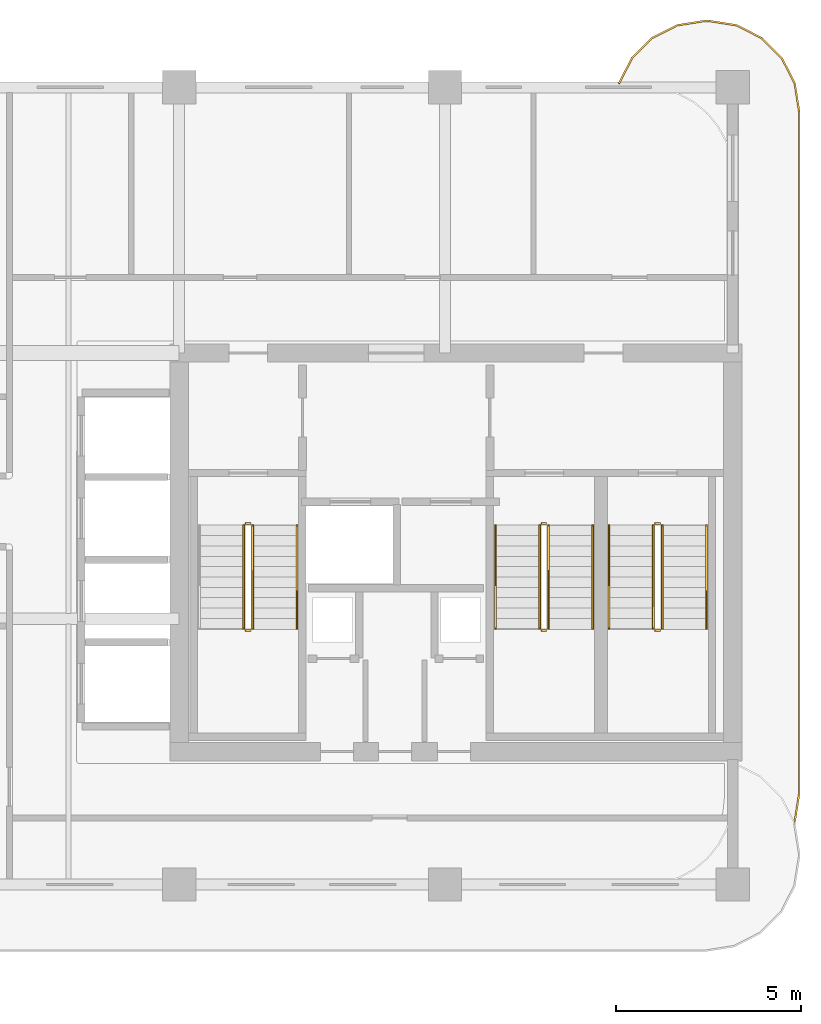
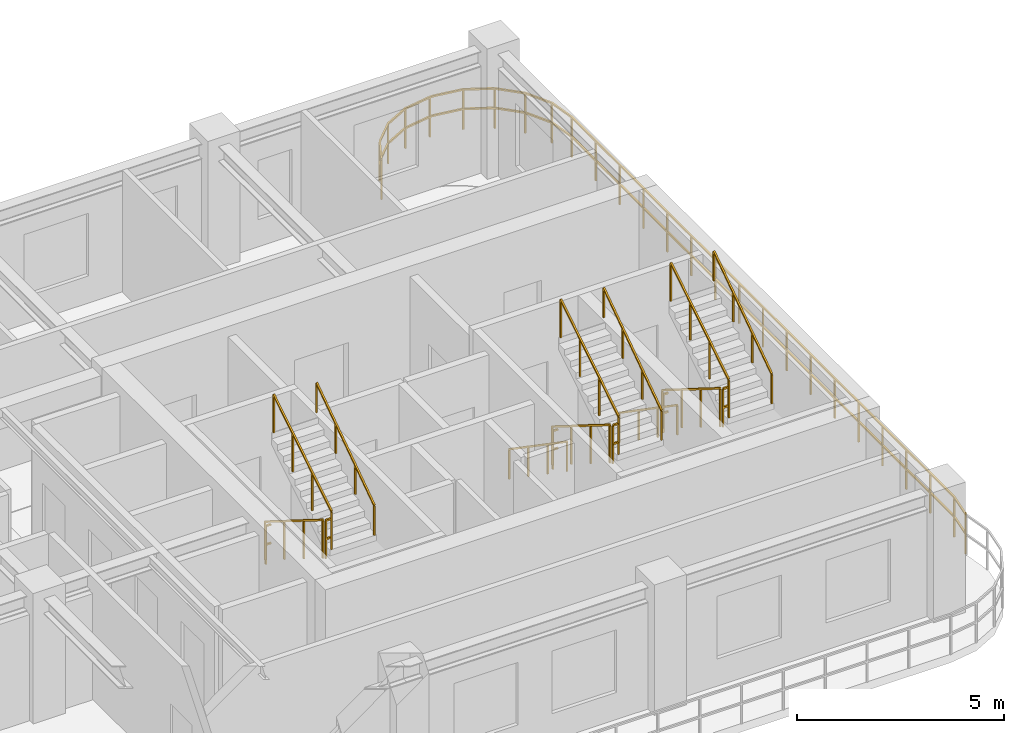
# One storey, part 7 of 7: 18 railings.
"""IFC4 building model written with IfcOpenShell, lengths in metres."""

from ifc_helpers import new_model, si_unit, derived_unit, direction, frame, origin, origin_2d, place, context, subcontext, project, spatial, rectangle, extrude, material, type_object, element, save


model = new_model("IFC4")

# Units and contexts
model_context = context("Model", 3, precision=1e-05, world=origin(), true_north=direction((0.0, 1.0)))
body_context = subcontext(model_context, "Body", "Model", "MODEL_VIEW")
ifc_project = project(units=[si_unit("LENGTHUNIT", "METRE"), si_unit("AREAUNIT", "SQUARE_METRE"), si_unit("VOLUMEUNIT", "CUBIC_METRE"), si_unit("PLANEANGLEUNIT", "RADIAN"), si_unit("MASSUNIT", "GRAM", prefix="KILO"), si_unit("THERMODYNAMICTEMPERATUREUNIT", "KELVIN"), si_unit("POWERUNIT", "WATT"), derived_unit("THERMALTRANSMITTANCEUNIT", [(si_unit("POWERUNIT", "WATT"), 1), (si_unit("AREAUNIT", "SQUARE_METRE"), -1), (si_unit("THERMODYNAMICTEMPERATUREUNIT", "KELVIN"), -1)])], contexts=[model_context])

# Site, building, storey
site_placement = place(None, origin())
site = spatial("IfcSite", under=ifc_project, at=site_placement, CompositionType="ELEMENT")
building_placement = place(site_placement, origin())
building = spatial("IfcBuilding", under=site, at=building_placement, Name="Zahravan Archway Hotel and Residences", CompositionType="ELEMENT")
storey_placement = place(building_placement, frame((0.0, 0.0, 221.14990234375)))
storey = spatial("IfcBuildingStorey", under=building, at=storey_placement, Name="L55", CompositionType="ELEMENT", Elevation=221.14990234375)

# Railings
ifc_material_1 = material(Name="Bronze & Laminated Glass Balustrade", Category="glass")
railing_type_1 = type_object("IfcRailingType", Name="RL-BAL-1200", PredefinedType="BALUSTRADE", material=ifc_material_1)
railing_1_placement = place(storey_placement, frame((46.719970703125, 21.70703125, 0.0)))
element("IfcRailing", 1, at=railing_1_placement, inside=storey, type_object=railing_type_1, Name="L55 Balustrade RL-SLB-BAL-L55-EA-1", PredefinedType="BALUSTRADE", context=body_context, shape_type="SweptSolid", body=[
    extrude(rectangle(XDim=0.048095703125, YDim=0.048095703125, at=origin_2d()), frame((0.0, 0.0, 1.17578125), z_axis=(0.453825591531, 0.891090529897, 0.0), x_axis=(-0.891090529897, 0.453825591531, 0.0)), (0.0, 0.0, 1.0), 0.7666015625),
    extrude(rectangle(XDim=0.048095703125, YDim=0.048095703125, at=origin_2d()), frame((0.0, 0.0, 0.60009765625), z_axis=(0.453825591531, 0.891090529897, 0.0), x_axis=(-0.891090529897, 0.453825591531, 0.0)), (0.0, 0.0, 1.0), 0.7666015625),
    extrude(rectangle(XDim=0.048095703125, YDim=0.048095703125, at=origin_2d()), frame((0.347900390625, 0.68310546875, 1.17578125), z_axis=(0.707106781187, 0.707106781187, 0.0), x_axis=(-0.707106781187, 0.707106781187, 0.0)), (0.0, 0.0, 1.0), 0.7666015625),
    extrude(rectangle(XDim=0.048095703125, YDim=0.048095703125, at=origin_2d()), frame((0.347900390625, 0.68310546875, 0.60009765625), z_axis=(0.707106781187, 0.707106781187, 0.0), x_axis=(-0.707106781187, 0.707106781187, 0.0)), (0.0, 0.0, 1.0), 0.7666015625),
    extrude(rectangle(XDim=0.048095703125, YDim=0.048095703125, at=origin_2d()), frame((0.889892578125, 1.22509765625, 1.17578125), z_axis=(0.891090529897, 0.453825591531, 0.0), x_axis=(-0.453825591531, 0.891090529897, 0.0)), (0.0, 0.0, 1.0), 0.7666015625),
    extrude(rectangle(XDim=0.048095703125, YDim=0.048095703125, at=origin_2d()), frame((0.889892578125, 1.22509765625, 0.60009765625), z_axis=(0.891090529897, 0.453825591531, 0.0), x_axis=(-0.453825591531, 0.891090529897, 0.0)), (0.0, 0.0, 1.0), 0.7666015625),
    extrude(rectangle(XDim=0.048095703125, YDim=0.048095703125, at=origin_2d()), frame((1.572998046875, 1.572998046875, 1.17578125), z_axis=(0.987695728695, 0.156387811283, 0.0), x_axis=(-0.156387811283, 0.987695728695, 0.0)), (0.0, 0.0, 1.0), 0.7666015625),
    extrude(rectangle(XDim=0.048095703125, YDim=0.048095703125, at=origin_2d()), frame((1.572998046875, 1.572998046875, 0.60009765625), z_axis=(0.987695728695, 0.156387811283, 0.0), x_axis=(-0.156387811283, 0.987695728695, 0.0)), (0.0, 0.0, 1.0), 0.7666015625),
    extrude(rectangle(XDim=0.048095703125, YDim=0.048095703125, at=origin_2d()), frame((2.330078125, 1.69287109375, 1.17578125), z_axis=(1.0, 0.0, 0.0), x_axis=(0.0, 1.0, 0.0)), (0.0, 0.0, 1.0), 0.099853515625),
    extrude(rectangle(XDim=0.048095703125, YDim=0.048095703125, at=origin_2d()), frame((2.330078125, 1.69287109375, 0.60009765625), z_axis=(1.0, 0.0, 0.0), x_axis=(0.0, 1.0, 0.0)), (0.0, 0.0, 1.0), 0.099853515625),
    extrude(rectangle(XDim=0.048095703125, YDim=0.048095703125, at=origin_2d()), frame((2.429931640625, 1.69287109375, 1.17578125), z_axis=(0.987695728695, -0.156387811283, 0.0), x_axis=(0.156387811283, 0.987695728695, 0.0)), (0.0, 0.0, 1.0), 0.7666015625),
    extrude(rectangle(XDim=0.048095703125, YDim=0.048095703125, at=origin_2d()), frame((2.429931640625, 1.69287109375, 0.60009765625), z_axis=(0.987695728695, -0.156387811283, 0.0), x_axis=(0.156387811283, 0.987695728695, 0.0)), (0.0, 0.0, 1.0), 0.7666015625),
    extrude(rectangle(XDim=0.048095703125, YDim=0.048095703125, at=origin_2d()), frame((3.18701171875, 1.572998046875, 1.17578125), z_axis=(0.891090529897, -0.453825591531, 0.0), x_axis=(0.453825591531, 0.891090529897, 0.0)), (0.0, 0.0, 1.0), 0.7666015625),
    extrude(rectangle(XDim=0.048095703125, YDim=0.048095703125, at=origin_2d()), frame((3.18701171875, 1.572998046875, 0.60009765625), z_axis=(0.891090529897, -0.453825591531, 0.0), x_axis=(0.453825591531, 0.891090529897, 0.0)), (0.0, 0.0, 1.0), 0.7666015625),
    extrude(rectangle(XDim=0.048095703125, YDim=0.048095703125, at=origin_2d()), frame((3.8701171875, 1.22509765625, 1.17578125), z_axis=(0.707106781187, -0.707106781187, 0.0), x_axis=(0.707106781187, 0.707106781187, 0.0)), (0.0, 0.0, 1.0), 0.7666015625),
    extrude(rectangle(XDim=0.048095703125, YDim=0.048095703125, at=origin_2d()), frame((3.8701171875, 1.22509765625, 0.60009765625), z_axis=(0.707106781187, -0.707106781187, 0.0), x_axis=(0.707106781187, 0.707106781187, 0.0)), (0.0, 0.0, 1.0), 0.7666015625),
    extrude(rectangle(XDim=0.048095703125, YDim=0.048095703125, at=origin_2d()), frame((4.412109375, 0.68310546875, 1.17578125), z_axis=(0.453825591531, -0.891090529897, 0.0), x_axis=(0.891090529897, 0.453825591531, 0.0)), (0.0, 0.0, 1.0), 0.7666015625),
    extrude(rectangle(XDim=0.048095703125, YDim=0.048095703125, at=origin_2d()), frame((4.412109375, 0.68310546875, 0.60009765625), z_axis=(0.453825591531, -0.891090529897, 0.0), x_axis=(0.891090529897, 0.453825591531, 0.0)), (0.0, 0.0, 1.0), 0.7666015625),
    extrude(rectangle(XDim=0.048095703125, YDim=0.048095703125, at=origin_2d()), frame((4.760009765625, 0.0, 1.17578125), z_axis=(0.156698507018, -0.987646484274, 0.0), x_axis=(0.987646484274, 0.156698507018, 0.0)), (0.0, 0.0, 1.0), 0.7666015625),
    extrude(rectangle(XDim=0.048095703125, YDim=0.048095703125, at=origin_2d()), frame((4.760009765625, 0.0, 0.60009765625), z_axis=(0.156698507018, -0.987646484274, 0.0), x_axis=(0.987646484274, 0.156698507018, 0.0)), (0.0, 0.0, 1.0), 0.7666015625),
    extrude(rectangle(XDim=0.048095703125, YDim=0.048095703125, at=origin_2d()), frame((4.880126953125, -0.757080078125, 1.17578125), z_axis=(0.0, -1.0, 0.0), x_axis=(1.0, 0.0, 0.0)), (0.0, 0.0, 1.0), 18.5),
    extrude(rectangle(XDim=0.048095703125, YDim=0.048095703125, at=origin_2d()), frame((4.880126953125, -0.757080078125, 0.60009765625), z_axis=(0.0, -1.0, 0.0), x_axis=(1.0, 0.0, 0.0)), (0.0, 0.0, 1.0), 18.5),
    extrude(rectangle(XDim=0.048095703125, YDim=0.048095703125, at=origin_2d()), frame((4.880126953125, -19.257080078125, 1.17578125), z_axis=(-0.156698507018, -0.987646484274, 0.0), x_axis=(0.987646484274, -0.156698507018, 0.0)), (0.0, 0.0, 1.0), 0.7666015625),
    extrude(rectangle(XDim=0.048095703125, YDim=0.048095703125, at=origin_2d()), frame((4.880126953125, -19.257080078125, 0.60009765625), z_axis=(-0.156698507018, -0.987646484274, 0.0), x_axis=(0.987646484274, -0.156698507018, 0.0)), (0.0, 0.0, 1.0), 0.7666015625),
    extrude(rectangle(XDim=0.0419921875, YDim=0.0419921875, at=origin_2d()), origin(), (0.0, 0.0, 1.0), 1.15185546875),
    extrude(rectangle(XDim=0.0419921875, YDim=0.0419921875, at=origin_2d()), frame((0.347900390625, 0.68310546875, 0.0)), (0.0, 0.0, 1.0), 1.15185546875),
    extrude(rectangle(XDim=0.0419921875, YDim=0.0419921875, at=origin_2d()), frame((0.889892578125, 1.22509765625, 0.0)), (0.0, 0.0, 1.0), 1.15185546875),
    extrude(rectangle(XDim=0.0419921875, YDim=0.0419921875, at=origin_2d()), frame((1.572998046875, 1.572998046875, 0.0)), (0.0, 0.0, 1.0), 1.15185546875),
    extrude(rectangle(XDim=0.0419921875, YDim=0.0419921875, at=origin_2d()), frame((2.330078125, 1.69287109375, 0.0)), (0.0, 0.0, 1.0), 1.15185546875),
    extrude(rectangle(XDim=0.0419921875, YDim=0.0419921875, at=origin_2d()), frame((3.18701171875, 1.572998046875, 0.0)), (0.0, 0.0, 1.0), 1.15185546875),
    extrude(rectangle(XDim=0.0419921875, YDim=0.0419921875, at=origin_2d()), frame((3.8701171875, 1.22509765625, 0.0)), (0.0, 0.0, 1.0), 1.15185546875),
    extrude(rectangle(XDim=0.0419921875, YDim=0.0419921875, at=origin_2d()), frame((4.412109375, 0.68310546875, 0.0)), (0.0, 0.0, 1.0), 1.15185546875),
    extrude(rectangle(XDim=0.0419921875, YDim=0.0419921875, at=origin_2d()), frame((4.760009765625, 0.0, 0.0)), (0.0, 0.0, 1.0), 1.15185546875),
    extrude(rectangle(XDim=0.0419921875, YDim=0.0419921875, at=origin_2d()), frame((4.880126953125, -0.757080078125, 0.0)), (0.0, 0.0, 1.0), 1.15185546875),
    extrude(rectangle(XDim=0.0419921875, YDim=0.0419921875, at=origin_2d()), frame((4.880126953125, -1.913330078125, 0.0)), (0.0, 0.0, 1.0), 1.15185546875),
    extrude(rectangle(XDim=0.0419921875, YDim=0.0419921875, at=origin_2d()), frame((4.880126953125, -3.069580078125, 0.0)), (0.0, 0.0, 1.0), 1.15185546875),
    extrude(rectangle(XDim=0.0419921875, YDim=0.0419921875, at=origin_2d()), frame((4.880126953125, -4.225830078125, 0.0)), (0.0, 0.0, 1.0), 1.15185546875),
    extrude(rectangle(XDim=0.0419921875, YDim=0.0419921875, at=origin_2d()), frame((4.880126953125, -5.382080078125, 0.0)), (0.0, 0.0, 1.0), 1.15185546875),
    extrude(rectangle(XDim=0.0419921875, YDim=0.0419921875, at=origin_2d()), frame((4.880126953125, -6.538330078125, 0.0)), (0.0, 0.0, 1.0), 1.15185546875),
    extrude(rectangle(XDim=0.0419921875, YDim=0.0419921875, at=origin_2d()), frame((4.880126953125, -7.694580078125, 0.0)), (0.0, 0.0, 1.0), 1.15185546875),
    extrude(rectangle(XDim=0.0419921875, YDim=0.0419921875, at=origin_2d()), frame((4.880126953125, -8.850830078125, 0.0)), (0.0, 0.0, 1.0), 1.15185546875),
    extrude(rectangle(XDim=0.0419921875, YDim=0.0419921875, at=origin_2d()), frame((4.880126953125, -10.007080078125, 0.0)), (0.0, 0.0, 1.0), 1.15185546875),
    extrude(rectangle(XDim=0.0419921875, YDim=0.0419921875, at=origin_2d()), frame((4.880126953125, -11.163330078125, 0.0)), (0.0, 0.0, 1.0), 1.15185546875),
    extrude(rectangle(XDim=0.0419921875, YDim=0.0419921875, at=origin_2d()), frame((4.880126953125, -12.319580078125, 0.0)), (0.0, 0.0, 1.0), 1.15185546875),
    extrude(rectangle(XDim=0.0419921875, YDim=0.0419921875, at=origin_2d()), frame((4.880126953125, -13.475830078125, 0.0)), (0.0, 0.0, 1.0), 1.15185546875),
    extrude(rectangle(XDim=0.0419921875, YDim=0.0419921875, at=origin_2d()), frame((4.880126953125, -14.632080078125, 0.0)), (0.0, 0.0, 1.0), 1.15185546875),
    extrude(rectangle(XDim=0.0419921875, YDim=0.0419921875, at=origin_2d()), frame((4.880126953125, -15.788330078125, 0.0)), (0.0, 0.0, 1.0), 1.15185546875),
    extrude(rectangle(XDim=0.0419921875, YDim=0.0419921875, at=origin_2d()), frame((4.880126953125, -16.944580078125, 0.0)), (0.0, 0.0, 1.0), 1.15185546875),
    extrude(rectangle(XDim=0.0419921875, YDim=0.0419921875, at=origin_2d()), frame((4.880126953125, -18.100830078125, 0.0)), (0.0, 0.0, 1.0), 1.15185546875),
    extrude(rectangle(XDim=0.0419921875, YDim=0.0419921875, at=origin_2d()), frame((4.880126953125, -19.257080078125, 0.0)), (0.0, 0.0, 1.0), 1.15185546875),
    extrude(rectangle(XDim=0.0419921875, YDim=0.0419921875, at=origin_2d()), frame((4.760009765625, -20.01416015625, 0.0)), (0.0, 0.0, 1.0), 1.15185546875),
])
ifc_material_2 = material(Name="Painted Tubular Steel", Category="steel")
railing_type_2 = type_object("IfcRailingType", Name="RL-STG-1150", PredefinedType="GUARDRAIL", material=ifc_material_2)
railing_2_placement = place(storey_placement, frame((36.550048828125, 9.72998046875, 0.175048828125)))
element("IfcRailing", 2, at=railing_2_placement, inside=storey, type_object=railing_type_2, Name="L55 ST-A1 stair guard 1", PredefinedType="GUARDRAIL", context=body_context, shape_type="SweptSolid", body=[
    extrude(rectangle(XDim=0.048095703125, YDim=0.048095703125, at=origin_2d()), frame((0.0, 0.0, 1.1259765625), z_axis=(0.0, -0.848002457836, 0.529992293815), x_axis=(1.0, 0.0, 0.0)), (0.0, 0.0, 1.0), 3.302001953125),
    extrude(rectangle(XDim=0.0419921875, YDim=0.0419921875, at=origin_2d()), origin(), (0.0, 0.0, 1.0), 1.101806640625),
    extrude(rectangle(XDim=0.0419921875, YDim=0.0419921875, at=origin_2d()), frame((0.0, -0.933349609375, 0.583251953125)), (0.0, 0.0, 1.0), 1.101806640625),
    extrude(rectangle(XDim=0.0419921875, YDim=0.0419921875, at=origin_2d()), frame((0.0, -1.86669921875, 1.166748046875)), (0.0, 0.0, 1.0), 1.101806640625),
    extrude(rectangle(XDim=0.0419921875, YDim=0.0419921875, at=origin_2d()), frame((0.0, -2.800048828125, 1.75)), (0.0, 0.0, 1.0), 1.101806640625),
])
railing_3_placement = place(storey_placement, frame((36.60009765625, 6.8798828125, 1.925048828125)))
element("IfcRailing", 3, at=railing_3_placement, inside=storey, type_object=railing_type_2, Name="L55 ST-A1 stair guard 2", PredefinedType="GUARDRAIL", context=body_context, shape_type="SweptSolid", body=[
    extrude(rectangle(XDim=0.048095703125, YDim=0.048095703125, at=origin_2d()), frame((0.0, 0.0, 1.1259765625), z_axis=(1.0, 0.0, 0.0), x_axis=(0.0, 1.0, 0.0)), (0.0, 0.0, 1.0), 0.139892578125),
    extrude(rectangle(XDim=0.048095703125, YDim=0.048095703125, at=origin_2d()), frame((0.0, 0.0, 0.574951171875), z_axis=(1.0, 0.0, 0.0), x_axis=(0.0, 1.0, 0.0)), (0.0, 0.0, 1.0), 0.139892578125),
    extrude(rectangle(XDim=0.0419921875, YDim=0.0419921875, at=origin_2d()), origin(), (0.0, 0.0, 1.0), 1.101806640625),
])
railing_4_placement = place(storey_placement, frame((36.7900390625, 6.929931640625, 2.10009765625)))
element("IfcRailing", 4, at=railing_4_placement, inside=storey, type_object=railing_type_2, Name="L55 ST-A1 stair guard 3", PredefinedType="GUARDRAIL", context=body_context, shape_type="SweptSolid", body=[
    extrude(rectangle(XDim=0.048095703125, YDim=0.048095703125, at=origin_2d()), frame((0.0, 0.0, 1.1259765625), z_axis=(0.0, 0.848002457836, 0.529992293815), x_axis=(-1.0, 0.0, 0.0)), (0.0, 0.0, 1.0), 3.302001953125),
    extrude(rectangle(XDim=0.0419921875, YDim=0.0419921875, at=origin_2d()), origin(), (0.0, 0.0, 1.0), 1.101806640625),
    extrude(rectangle(XDim=0.0419921875, YDim=0.0419921875, at=origin_2d()), frame((0.0, 0.933349609375, 0.583251953125)), (0.0, 0.0, 1.0), 1.101806640625),
    extrude(rectangle(XDim=0.0419921875, YDim=0.0419921875, at=origin_2d()), frame((0.0, 1.86669921875, 1.166748046875)), (0.0, 0.0, 1.0), 1.101806640625),
    extrude(rectangle(XDim=0.0419921875, YDim=0.0419921875, at=origin_2d()), frame((0.0, 2.800048828125, 1.75)), (0.0, 0.0, 1.0), 1.101806640625),
])
railing_5_placement = place(storey_placement, frame((36.60009765625, 9.780029296875, 0.0)))
element("IfcRailing", 5, at=railing_5_placement, inside=storey, type_object=railing_type_2, Name="L55 ST-A1 stair guard 4", PredefinedType="GUARDRAIL", context=body_context, shape_type="SweptSolid", body=[
    extrude(rectangle(XDim=0.048095703125, YDim=0.048095703125, at=origin_2d()), frame((0.0, 0.0, 1.1259765625), z_axis=(1.0, 0.0, 0.0), x_axis=(0.0, 1.0, 0.0)), (0.0, 0.0, 1.0), 0.139892578125),
    extrude(rectangle(XDim=0.048095703125, YDim=0.048095703125, at=origin_2d()), frame((0.0, 0.0, 0.574951171875), z_axis=(1.0, 0.0, 0.0), x_axis=(0.0, 1.0, 0.0)), (0.0, 0.0, 1.0), 0.139892578125),
    extrude(rectangle(XDim=0.0419921875, YDim=0.0419921875, at=origin_2d()), origin(), (0.0, 0.0, 1.0), 1.101806640625),
])
railing_6_placement = place(storey_placement, frame((44.570068359375, 9.72998046875, 0.175048828125)))
element("IfcRailing", 6, at=railing_6_placement, inside=storey, type_object=railing_type_2, Name="L55 ST-A2 stair guard 1", PredefinedType="GUARDRAIL", context=body_context, shape_type="SweptSolid", body=[
    extrude(rectangle(XDim=0.048095703125, YDim=0.048095703125, at=origin_2d()), frame((0.0, 0.0, 1.1259765625), z_axis=(0.0, -0.848002457836, 0.529992293815), x_axis=(1.0, 0.0, 0.0)), (0.0, 0.0, 1.0), 3.302001953125),
    extrude(rectangle(XDim=0.0419921875, YDim=0.0419921875, at=origin_2d()), origin(), (0.0, 0.0, 1.0), 1.101806640625),
    extrude(rectangle(XDim=0.0419921875, YDim=0.0419921875, at=origin_2d()), frame((0.0, -0.933349609375, 0.583251953125)), (0.0, 0.0, 1.0), 1.101806640625),
    extrude(rectangle(XDim=0.0419921875, YDim=0.0419921875, at=origin_2d()), frame((0.0, -1.86669921875, 1.166748046875)), (0.0, 0.0, 1.0), 1.101806640625),
    extrude(rectangle(XDim=0.0419921875, YDim=0.0419921875, at=origin_2d()), frame((0.0, -2.800048828125, 1.75)), (0.0, 0.0, 1.0), 1.101806640625),
])
railing_7_placement = place(storey_placement, frame((44.6201171875, 6.8798828125, 1.925048828125)))
element("IfcRailing", 7, at=railing_7_placement, inside=storey, type_object=railing_type_2, Name="L55 ST-A2 stair guard 2", PredefinedType="GUARDRAIL", context=body_context, shape_type="SweptSolid", body=[
    extrude(rectangle(XDim=0.048095703125, YDim=0.048095703125, at=origin_2d()), frame((0.0, 0.0, 1.1259765625), z_axis=(1.0, 0.0, 0.0), x_axis=(0.0, 1.0, 0.0)), (0.0, 0.0, 1.0), 0.139892578125),
    extrude(rectangle(XDim=0.048095703125, YDim=0.048095703125, at=origin_2d()), frame((0.0, 0.0, 0.574951171875), z_axis=(1.0, 0.0, 0.0), x_axis=(0.0, 1.0, 0.0)), (0.0, 0.0, 1.0), 0.139892578125),
    extrude(rectangle(XDim=0.0419921875, YDim=0.0419921875, at=origin_2d()), origin(), (0.0, 0.0, 1.0), 1.101806640625),
])
railing_8_placement = place(storey_placement, frame((44.81005859375, 6.929931640625, 2.10009765625)))
element("IfcRailing", 8, at=railing_8_placement, inside=storey, type_object=railing_type_2, Name="L55 ST-A2 stair guard 3", PredefinedType="GUARDRAIL", context=body_context, shape_type="SweptSolid", body=[
    extrude(rectangle(XDim=0.048095703125, YDim=0.048095703125, at=origin_2d()), frame((0.0, 0.0, 1.1259765625), z_axis=(0.0, 0.848002457836, 0.529992293815), x_axis=(-1.0, 0.0, 0.0)), (0.0, 0.0, 1.0), 3.302001953125),
    extrude(rectangle(XDim=0.0419921875, YDim=0.0419921875, at=origin_2d()), origin(), (0.0, 0.0, 1.0), 1.101806640625),
    extrude(rectangle(XDim=0.0419921875, YDim=0.0419921875, at=origin_2d()), frame((0.0, 0.933349609375, 0.583251953125)), (0.0, 0.0, 1.0), 1.101806640625),
    extrude(rectangle(XDim=0.0419921875, YDim=0.0419921875, at=origin_2d()), frame((0.0, 1.86669921875, 1.166748046875)), (0.0, 0.0, 1.0), 1.101806640625),
    extrude(rectangle(XDim=0.0419921875, YDim=0.0419921875, at=origin_2d()), frame((0.0, 2.800048828125, 1.75)), (0.0, 0.0, 1.0), 1.101806640625),
])
railing_9_placement = place(storey_placement, frame((44.6201171875, 9.780029296875, 0.0)))
element("IfcRailing", 9, at=railing_9_placement, inside=storey, type_object=railing_type_2, Name="L55 ST-A2 stair guard 4", PredefinedType="GUARDRAIL", context=body_context, shape_type="SweptSolid", body=[
    extrude(rectangle(XDim=0.048095703125, YDim=0.048095703125, at=origin_2d()), frame((0.0, 0.0, 1.1259765625), z_axis=(1.0, 0.0, 0.0), x_axis=(0.0, 1.0, 0.0)), (0.0, 0.0, 1.0), 0.139892578125),
    extrude(rectangle(XDim=0.048095703125, YDim=0.048095703125, at=origin_2d()), frame((0.0, 0.0, 0.574951171875), z_axis=(1.0, 0.0, 0.0), x_axis=(0.0, 1.0, 0.0)), (0.0, 0.0, 1.0), 0.139892578125),
    extrude(rectangle(XDim=0.0419921875, YDim=0.0419921875, at=origin_2d()), origin(), (0.0, 0.0, 1.0), 1.101806640625),
])
railing_10_placement = place(storey_placement, frame((47.64990234375, 9.72998046875, 0.175048828125)))
element("IfcRailing", 10, at=railing_10_placement, inside=storey, type_object=railing_type_2, Name="L55 ST-A3 stair guard 1", PredefinedType="GUARDRAIL", context=body_context, shape_type="SweptSolid", body=[
    extrude(rectangle(XDim=0.048095703125, YDim=0.048095703125, at=origin_2d()), frame((0.0, 0.0, 1.1259765625), z_axis=(0.0, -0.848002457836, 0.529992293815), x_axis=(1.0, 0.0, 0.0)), (0.0, 0.0, 1.0), 3.302001953125),
    extrude(rectangle(XDim=0.0419921875, YDim=0.0419921875, at=origin_2d()), origin(), (0.0, 0.0, 1.0), 1.101806640625),
    extrude(rectangle(XDim=0.0419921875, YDim=0.0419921875, at=origin_2d()), frame((0.0, -0.933349609375, 0.583251953125)), (0.0, 0.0, 1.0), 1.101806640625),
    extrude(rectangle(XDim=0.0419921875, YDim=0.0419921875, at=origin_2d()), frame((0.0, -1.86669921875, 1.166748046875)), (0.0, 0.0, 1.0), 1.101806640625),
    extrude(rectangle(XDim=0.0419921875, YDim=0.0419921875, at=origin_2d()), frame((0.0, -2.800048828125, 1.75)), (0.0, 0.0, 1.0), 1.101806640625),
])
railing_11_placement = place(storey_placement, frame((47.699951171875, 6.8798828125, 1.925048828125)))
element("IfcRailing", 11, at=railing_11_placement, inside=storey, type_object=railing_type_2, Name="L55 ST-A3 stair guard 2", PredefinedType="GUARDRAIL", context=body_context, shape_type="SweptSolid", body=[
    extrude(rectangle(XDim=0.048095703125, YDim=0.048095703125, at=origin_2d()), frame((0.0, 0.0, 1.1259765625), z_axis=(1.0, 0.0, 0.0), x_axis=(0.0, 1.0, 0.0)), (0.0, 0.0, 1.0), 0.14013671875),
    extrude(rectangle(XDim=0.048095703125, YDim=0.048095703125, at=origin_2d()), frame((0.0, 0.0, 0.574951171875), z_axis=(1.0, 0.0, 0.0), x_axis=(0.0, 1.0, 0.0)), (0.0, 0.0, 1.0), 0.14013671875),
    extrude(rectangle(XDim=0.0419921875, YDim=0.0419921875, at=origin_2d()), origin(), (0.0, 0.0, 1.0), 1.101806640625),
])
railing_12_placement = place(storey_placement, frame((47.889892578125, 6.929931640625, 2.10009765625)))
element("IfcRailing", 12, at=railing_12_placement, inside=storey, type_object=railing_type_2, Name="L55 ST-A3 stair guard 3", PredefinedType="GUARDRAIL", context=body_context, shape_type="SweptSolid", body=[
    extrude(rectangle(XDim=0.048095703125, YDim=0.048095703125, at=origin_2d()), frame((0.0, 0.0, 1.1259765625), z_axis=(0.0, 0.848002457836, 0.529992293815), x_axis=(-1.0, 0.0, 0.0)), (0.0, 0.0, 1.0), 3.302001953125),
    extrude(rectangle(XDim=0.0419921875, YDim=0.0419921875, at=origin_2d()), origin(), (0.0, 0.0, 1.0), 1.101806640625),
    extrude(rectangle(XDim=0.0419921875, YDim=0.0419921875, at=origin_2d()), frame((0.0, 0.933349609375, 0.583251953125)), (0.0, 0.0, 1.0), 1.101806640625),
    extrude(rectangle(XDim=0.0419921875, YDim=0.0419921875, at=origin_2d()), frame((0.0, 1.86669921875, 1.166748046875)), (0.0, 0.0, 1.0), 1.101806640625),
    extrude(rectangle(XDim=0.0419921875, YDim=0.0419921875, at=origin_2d()), frame((0.0, 2.800048828125, 1.75)), (0.0, 0.0, 1.0), 1.101806640625),
])
railing_13_placement = place(storey_placement, frame((47.699951171875, 9.780029296875, 0.0)))
element("IfcRailing", 13, at=railing_13_placement, inside=storey, type_object=railing_type_2, Name="L55 ST-A3 stair guard 4", PredefinedType="GUARDRAIL", context=body_context, shape_type="SweptSolid", body=[
    extrude(rectangle(XDim=0.048095703125, YDim=0.048095703125, at=origin_2d()), frame((0.0, 0.0, 1.1259765625), z_axis=(1.0, 0.0, 0.0), x_axis=(0.0, 1.0, 0.0)), (0.0, 0.0, 1.0), 0.14013671875),
    extrude(rectangle(XDim=0.048095703125, YDim=0.048095703125, at=origin_2d()), frame((0.0, 0.0, 0.574951171875), z_axis=(1.0, 0.0, 0.0), x_axis=(0.0, 1.0, 0.0)), (0.0, 0.0, 1.0), 0.14013671875),
    extrude(rectangle(XDim=0.0419921875, YDim=0.0419921875, at=origin_2d()), origin(), (0.0, 0.0, 1.0), 1.101806640625),
])
ifc_material_3 = material(Name="Brushed Stainless Steel", Category="steel")
railing_type_3 = type_object("IfcRailingType", Name="RL-STH-900", PredefinedType="HANDRAIL", material=ifc_material_3)
railing_14_placement = place(storey_placement, frame((37.989990234375, 6.929931640625, 2.10009765625)))
element("IfcRailing", 14, at=railing_14_placement, inside=storey, type_object=railing_type_3, Name="L55 ST-A1 stair handrail 2", PredefinedType="HANDRAIL", context=body_context, shape_type="SweptSolid", body=[
    extrude(rectangle(XDim=0.048095703125, YDim=0.048095703125, at=origin_2d()), frame((0.0, 0.0, 0.8759765625), z_axis=(0.0, 0.824039827795, 0.566531872191), x_axis=(-1.0, 0.0, 0.0)), (0.0, 0.0, 1.0), 3.39794921875),
    extrude(rectangle(XDim=0.0419921875, YDim=0.0419921875, at=origin_2d()), origin(), (0.0, 0.0, 1.0), 0.851806640625),
    extrude(rectangle(XDim=0.0419921875, YDim=0.0419921875, at=origin_2d()), frame((0.0, 0.933349609375, 0.6416015625)), (0.0, 0.0, 1.0), 0.851806640625),
    extrude(rectangle(XDim=0.0419921875, YDim=0.0419921875, at=origin_2d()), frame((0.0, 1.86669921875, 1.283447265625)), (0.0, 0.0, 1.0), 0.851806640625),
    extrude(rectangle(XDim=0.0419921875, YDim=0.0419921875, at=origin_2d()), frame((0.0, 2.800048828125, 1.925048828125)), (0.0, 0.0, 1.0), 0.851806640625),
])
railing_15_placement = place(storey_placement, frame((43.3701171875, 9.72998046875, 0.175048828125)))
element("IfcRailing", 15, at=railing_15_placement, inside=storey, type_object=railing_type_3, Name="L55 ST-A2 stair handrail 1", PredefinedType="HANDRAIL", context=body_context, shape_type="SweptSolid", body=[
    extrude(rectangle(XDim=0.048095703125, YDim=0.048095703125, at=origin_2d()), frame((0.0, 0.0, 0.8759765625), z_axis=(0.0, -0.824039827795, 0.566531872191), x_axis=(1.0, 0.0, 0.0)), (0.0, 0.0, 1.0), 3.39794921875),
    extrude(rectangle(XDim=0.0419921875, YDim=0.0419921875, at=origin_2d()), origin(), (0.0, 0.0, 1.0), 0.851806640625),
    extrude(rectangle(XDim=0.0419921875, YDim=0.0419921875, at=origin_2d()), frame((0.0, -0.933349609375, 0.6416015625)), (0.0, 0.0, 1.0), 0.851806640625),
    extrude(rectangle(XDim=0.0419921875, YDim=0.0419921875, at=origin_2d()), frame((0.0, -1.86669921875, 1.283447265625)), (0.0, 0.0, 1.0), 0.851806640625),
    extrude(rectangle(XDim=0.0419921875, YDim=0.0419921875, at=origin_2d()), frame((0.0, -2.800048828125, 1.925048828125)), (0.0, 0.0, 1.0), 0.851806640625),
])
railing_16_placement = place(storey_placement, frame((46.010009765625, 6.929931640625, 2.10009765625)))
element("IfcRailing", 16, at=railing_16_placement, inside=storey, type_object=railing_type_3, Name="L55 ST-A2 stair handrail 2", PredefinedType="HANDRAIL", context=body_context, shape_type="SweptSolid", body=[
    extrude(rectangle(XDim=0.048095703125, YDim=0.048095703125, at=origin_2d()), frame((0.0, 0.0, 0.8759765625), z_axis=(0.0, 0.824039827795, 0.566531872191), x_axis=(-1.0, 0.0, 0.0)), (0.0, 0.0, 1.0), 3.39794921875),
    extrude(rectangle(XDim=0.0419921875, YDim=0.0419921875, at=origin_2d()), origin(), (0.0, 0.0, 1.0), 0.851806640625),
    extrude(rectangle(XDim=0.0419921875, YDim=0.0419921875, at=origin_2d()), frame((0.0, 0.933349609375, 0.6416015625)), (0.0, 0.0, 1.0), 0.851806640625),
    extrude(rectangle(XDim=0.0419921875, YDim=0.0419921875, at=origin_2d()), frame((0.0, 1.86669921875, 1.283447265625)), (0.0, 0.0, 1.0), 0.851806640625),
    extrude(rectangle(XDim=0.0419921875, YDim=0.0419921875, at=origin_2d()), frame((0.0, 2.800048828125, 1.925048828125)), (0.0, 0.0, 1.0), 0.851806640625),
])
railing_17_placement = place(storey_placement, frame((46.449951171875, 9.72998046875, 0.175048828125)))
element("IfcRailing", 17, at=railing_17_placement, inside=storey, type_object=railing_type_3, Name="L55 ST-A3 stair handrail 1", PredefinedType="HANDRAIL", context=body_context, shape_type="SweptSolid", body=[
    extrude(rectangle(XDim=0.048095703125, YDim=0.048095703125, at=origin_2d()), frame((0.0, 0.0, 0.8759765625), z_axis=(0.0, -0.824039827795, 0.566531872191), x_axis=(1.0, 0.0, 0.0)), (0.0, 0.0, 1.0), 3.39794921875),
    extrude(rectangle(XDim=0.0419921875, YDim=0.0419921875, at=origin_2d()), origin(), (0.0, 0.0, 1.0), 0.851806640625),
    extrude(rectangle(XDim=0.0419921875, YDim=0.0419921875, at=origin_2d()), frame((0.0, -0.933349609375, 0.6416015625)), (0.0, 0.0, 1.0), 0.851806640625),
    extrude(rectangle(XDim=0.0419921875, YDim=0.0419921875, at=origin_2d()), frame((0.0, -1.86669921875, 1.283447265625)), (0.0, 0.0, 1.0), 0.851806640625),
    extrude(rectangle(XDim=0.0419921875, YDim=0.0419921875, at=origin_2d()), frame((0.0, -2.800048828125, 1.925048828125)), (0.0, 0.0, 1.0), 0.851806640625),
])
railing_18_placement = place(storey_placement, frame((49.090087890625, 6.929931640625, 2.10009765625)))
element("IfcRailing", 18, at=railing_18_placement, inside=storey, type_object=railing_type_3, Name="L55 ST-A3 stair handrail 2", PredefinedType="HANDRAIL", context=body_context, shape_type="SweptSolid", body=[
    extrude(rectangle(XDim=0.048095703125, YDim=0.048095703125, at=origin_2d()), frame((0.0, 0.0, 0.8759765625), z_axis=(0.0, 0.824039827795, 0.566531872191), x_axis=(-1.0, 0.0, 0.0)), (0.0, 0.0, 1.0), 3.39794921875),
    extrude(rectangle(XDim=0.0419921875, YDim=0.0419921875, at=origin_2d()), origin(), (0.0, 0.0, 1.0), 0.851806640625),
    extrude(rectangle(XDim=0.0419921875, YDim=0.0419921875, at=origin_2d()), frame((0.0, 0.933349609375, 0.6416015625)), (0.0, 0.0, 1.0), 0.851806640625),
    extrude(rectangle(XDim=0.0419921875, YDim=0.0419921875, at=origin_2d()), frame((0.0, 1.86669921875, 1.283447265625)), (0.0, 0.0, 1.0), 0.851806640625),
    extrude(rectangle(XDim=0.0419921875, YDim=0.0419921875, at=origin_2d()), frame((0.0, 2.800048828125, 1.925048828125)), (0.0, 0.0, 1.0), 0.851806640625),
])

save(model, "model.ifc")
